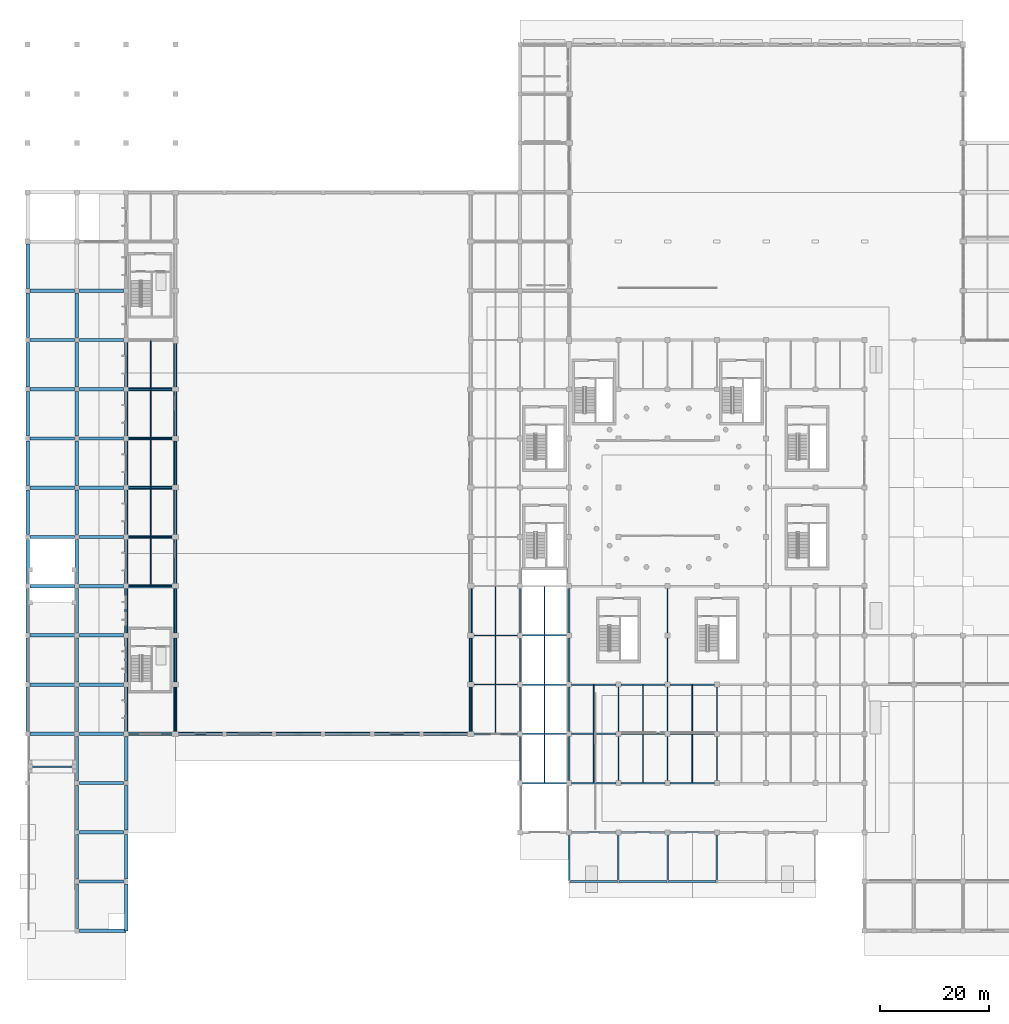
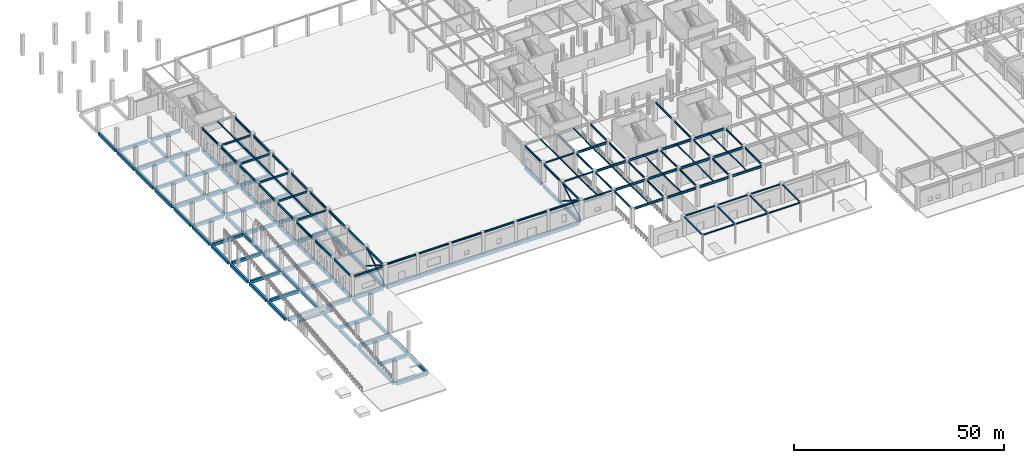
# One storey, part 7 of 91: 169 beams, 4 members.
"""IFC4 building model written with IfcOpenShell, lengths in metres."""

from ifc_helpers import new_model, si_unit, direction, frame, origin, origin_2d, place, context, subcontext, project, spatial, rectangle, hollow_circle, i_section, extrude, material, material_profile, profile_set, type_object, element, save


model = new_model("IFC4")

# Units and contexts
model_context = context("Model", 3, precision=1e-05, world=origin(), true_north=direction((0.0, 1.0)))
body_context = subcontext(model_context, "Body", "Model", "MODEL_VIEW")
ifc_project = project(units=[si_unit("LENGTHUNIT", "METRE"), si_unit("AREAUNIT", "SQUARE_METRE"), si_unit("VOLUMEUNIT", "CUBIC_METRE"), si_unit("PLANEANGLEUNIT", "RADIAN"), si_unit("MASSUNIT", "GRAM", prefix="KILO")], contexts=[model_context])

# Site, building, storey
site_placement = place(None, origin())
site = spatial("IfcSite", under=ifc_project, at=site_placement, CompositionType="ELEMENT")
building_placement = place(site_placement, origin())
building = spatial("IfcBuilding", under=site, at=building_placement, Name="Dornveld Trade and Exhibition Forum", CompositionType="ELEMENT")
storey_placement = place(building_placement, origin())
storey = spatial("IfcBuildingStorey", under=building, at=storey_placement, Name="L00", CompositionType="ELEMENT", Elevation=0.0)

# Beams
ifc_material_1 = material(Name="Steel S355J2", Category="steel")
ifc_material_profile_1 = material_profile(ifc_material_1, i_section(OverallWidth=0.300048828125, OverallDepth=0.300048828125, WebThickness=0.010986328125, FlangeThickness=0.01904296875, FilletRadius=0.027099609375, at=origin_2d()), Name="HEB 300")
ifc_profile_set_1 = profile_set([ifc_material_profile_1], Name="Steel S355J2")
beam_type_1 = type_object("IfcBeamType", Name="BM-CAN-HEB300", PredefinedType="BEAM", material=ifc_profile_set_1)
for number, where, z_axis, x_axis, name in (
    (1, (99.14599609375, 9.0, 5.6298828125), (1.0, 0.0, 0.0), (0.0, 1.0, 0.0), "L00 X-girder 1058"),
    (2, (108.14599609375, 9.0, 5.6298828125), (1.0, 0.0, 0.0), (0.0, 1.0, 0.0), "L00 X-girder 1059"),
    (3, (117.14599609375, 9.0, 5.6298828125), (1.0, 0.0, 0.0), (0.0, 1.0, 0.0), "L00 X-girder 1060"),
):
    element("IfcBeam", number, at=place(storey_placement, frame(where, z_axis=z_axis, x_axis=x_axis)), inside=storey, type_object=beam_type_1, Name=name, PredefinedType="BEAM", context=body_context, shape_type="SweptSolid", body=[
        extrude(i_section(OverallWidth=0.300048828125, OverallDepth=0.300048828125, WebThickness=0.010986328125, FlangeThickness=0.01904296875, FilletRadius=0.027099609375, at=origin_2d()), origin(), (0.0, 0.0, 1.0), 8.7080078125),
    ])
for number, where, z_axis, x_axis, name in (
    (4, (99.446044921875, 18.0, 5.6298828125), (1.0, 0.0, 0.0), (0.0, 1.0, 0.0), "L00 X-girder 1063"),
    (5, (108.446044921875, 18.0, 5.6298828125), (1.0, 0.0, 0.0), (0.0, 1.0, 0.0), "L00 X-girder 1064"),
    (6, (117.446044921875, 18.0, 5.6298828125), (1.0, 0.0, 0.0), (0.0, 1.0, 0.0), "L00 X-girder 1065"),
):
    element("IfcBeam", number, at=place(storey_placement, frame(where, z_axis=z_axis, x_axis=x_axis)), inside=storey, type_object=beam_type_1, Name=name, PredefinedType="BEAM", context=body_context, shape_type="SweptSolid", body=[
        extrude(i_section(OverallWidth=0.300048828125, OverallDepth=0.300048828125, WebThickness=0.010986328125, FlangeThickness=0.01904296875, FilletRadius=0.027099609375, at=origin_2d()), origin(), (0.0, 0.0, 1.0), 8.10791015625),
    ])
for number, where, z_axis, x_axis, name in (
    (7, (99.0, 9.196044921875, 5.6298828125), (0.0, 1.0, 0.0), (-1.0, 0.0, 0.0), "L00 Y-girder 1068"),
    (8, (108.0, 9.196044921875, 5.6298828125), (0.0, 1.0, 0.0), (-1.0, 0.0, 0.0), "L00 Y-girder 1069"),
    (9, (117.0, 9.196044921875, 5.6298828125), (0.0, 1.0, 0.0), (-1.0, 0.0, 0.0), "L00 Y-girder 1070"),
    (10, (126.0, 9.196044921875, 5.6298828125), (0.0, 1.0, 0.0), (-1.0, 0.0, 0.0), "L00 Y-girder 1071"),
):
    element("IfcBeam", number, at=place(storey_placement, frame(where, z_axis=z_axis, x_axis=x_axis)), inside=storey, type_object=beam_type_1, Name=name, PredefinedType="BEAM", context=body_context, shape_type="SweptSolid", body=[
        extrude(i_section(OverallWidth=0.300048828125, OverallDepth=0.300048828125, WebThickness=0.010986328125, FlangeThickness=0.01904296875, FilletRadius=0.027099609375, at=origin_2d()), origin(), (0.0, 0.0, 1.0), 8.35791015625),
    ])
ifc_material_2 = material(Name="Concrete C40/50", Category="concrete")
ifc_material_profile_2 = material_profile(ifc_material_2, rectangle(XDim=0.60009765625, YDim=0.89990234375, at=origin_2d()), Name="RC-GB 600x900")
ifc_profile_set_2 = profile_set([ifc_material_profile_2], Name="Concrete C40/50")
beam_type_2 = type_object("IfcBeamType", Name="BM-GB-600x900", PredefinedType="BEAM", material=ifc_profile_set_2)
beam_1_placement = place(storey_placement, frame((9.446044921875, 0.0, -0.85205078125), z_axis=(1.0, 0.0, 0.0), x_axis=(0.0, 1.0, 0.0)))
element("IfcBeam", 11, at=beam_1_placement, inside=storey, type_object=beam_type_2, Name="L00 X-girder 360", PredefinedType="BEAM", context=body_context, shape_type="SweptSolid", body=[
    extrude(rectangle(XDim=0.60009765625, YDim=0.89990234375, at=origin_2d()), origin(), (0.0, 0.0, 1.0), 8.553955078125),
])
for number, where, z_axis, x_axis, name in (
    (12, (9.446044921875, 9.0, -0.830078125), (1.0, 0.0, 0.0), (0.0, 1.0, 0.0), "L00 X-girder 361"),
    (13, (9.446044921875, 18.0, -0.85205078125), (1.0, 0.0, 0.0), (0.0, 1.0, 0.0), "L00 X-girder 362"),
    (14, (9.446044921875, 27.0, -0.85205078125), (1.0, 0.0, 0.0), (0.0, 1.0, 0.0), "L00 X-girder 363"),
    (15, (9.446044921875, 36.0, -0.85205078125), (1.0, 0.0, 0.0), (0.0, 1.0, 0.0), "L00 X-girder 364"),
    (16, (9.0, 0.446044921875, -0.830078125), (0.0, 1.0, 0.0), (-1.0, 0.0, 0.0), "L00 Y-girder 365"),
    (17, (9.0, 9.446044921875, -0.830078125), (0.0, 1.0, 0.0), (-1.0, 0.0, 0.0), "L00 Y-girder 366"),
    (18, (9.0, 18.446044921875, -0.85205078125), (0.0, 1.0, 0.0), (-1.0, 0.0, 0.0), "L00 Y-girder 367"),
    (19, (9.0, 27.446044921875, -0.85205078125), (0.0, 1.0, 0.0), (-1.0, 0.0, 0.0), "L00 Y-girder 368"),
):
    element("IfcBeam", number, at=place(storey_placement, frame(where, z_axis=z_axis, x_axis=x_axis)), inside=storey, type_object=beam_type_2, Name=name, PredefinedType="BEAM", context=body_context, shape_type="SweptSolid", body=[
        extrude(rectangle(XDim=0.60009765625, YDim=0.89990234375, at=origin_2d()), origin(), (0.0, 0.0, 1.0), 8.10791015625),
    ])
beam_2_placement = place(storey_placement, frame((18.0, 0.0, -0.830078125), z_axis=(0.0, 1.0, 0.0), x_axis=(-1.0, 0.0, 0.0)))
element("IfcBeam", 20, at=beam_2_placement, inside=storey, type_object=beam_type_2, Name="L00 Y-girder 369", PredefinedType="BEAM", context=body_context, shape_type="SweptSolid", body=[
    extrude(rectangle(XDim=0.60009765625, YDim=0.89990234375, at=origin_2d()), origin(), (0.0, 0.0, 1.0), 8.553955078125),
])
for number, where, z_axis, x_axis, name in (
    (21, (18.0, 9.446044921875, -0.830078125), (0.0, 1.0, 0.0), (-1.0, 0.0, 0.0), "L00 Y-girder 370"),
    (22, (18.0, 18.446044921875, -0.85205078125), (0.0, 1.0, 0.0), (-1.0, 0.0, 0.0), "L00 Y-girder 371"),
    (23, (18.0, 27.446044921875, -0.85205078125), (0.0, 1.0, 0.0), (-1.0, 0.0, 0.0), "L00 Y-girder 372"),
    (24, (0.446044921875, 36.0, -0.85205078125), (1.0, 0.0, 0.0), (0.0, 1.0, 0.0), "L00 X-girder 373"),
    (25, (18.446044921875, 36.0, -0.85205078125), (1.0, 0.0, 0.0), (0.0, 1.0, 0.0), "L00 X-girder 374"),
):
    element("IfcBeam", number, at=place(storey_placement, frame(where, z_axis=z_axis, x_axis=x_axis)), inside=storey, type_object=beam_type_2, Name=name, PredefinedType="BEAM", context=body_context, shape_type="SweptSolid", body=[
        extrude(rectangle(XDim=0.60009765625, YDim=0.89990234375, at=origin_2d()), origin(), (0.0, 0.0, 1.0), 8.10791015625),
    ])
beam_3_placement = place(storey_placement, frame((27.446044921875, 36.0, -0.830078125), z_axis=(1.0, 0.0, 0.0), x_axis=(0.0, 1.0, 0.0)))
element("IfcBeam", 26, at=beam_3_placement, inside=storey, type_object=beam_type_2, Name="L00 X-girder 375", PredefinedType="BEAM", context=body_context, shape_type="SweptSolid", body=[
    extrude(rectangle(XDim=0.60009765625, YDim=0.89990234375, at=origin_2d()), origin(), (0.0, 0.0, 1.0), 53.10791015625),
])
for number, where, z_axis, x_axis, name in (
    (27, (0.446044921875, 45.0, -0.830078125), (1.0, 0.0, 0.0), (0.0, 1.0, 0.0), "L00 X-girder 377"),
    (28, (9.446044921875, 45.0, -0.830078125), (1.0, 0.0, 0.0), (0.0, 1.0, 0.0), "L00 X-girder 378"),
    (29, (0.446044921875, 54.0, -0.830078125), (1.0, 0.0, 0.0), (0.0, 1.0, 0.0), "L00 X-girder 380"),
    (30, (9.446044921875, 54.0, -0.830078125), (1.0, 0.0, 0.0), (0.0, 1.0, 0.0), "L00 X-girder 381"),
    (31, (0.446044921875, 63.0, -0.830078125), (1.0, 0.0, 0.0), (0.0, 1.0, 0.0), "L00 X-girder 383"),
    (32, (9.446044921875, 63.0, -0.830078125), (1.0, 0.0, 0.0), (0.0, 1.0, 0.0), "L00 X-girder 384"),
    (33, (18.446044921875, 63.0, -0.830078125), (1.0, 0.0, 0.0), (0.0, 1.0, 0.0), "L00 X-girder 385"),
    (34, (0.446044921875, 72.0, -0.830078125), (1.0, 0.0, 0.0), (0.0, 1.0, 0.0), "L00 X-girder 387"),
    (35, (9.446044921875, 72.0, -0.830078125), (1.0, 0.0, 0.0), (0.0, 1.0, 0.0), "L00 X-girder 388"),
    (36, (18.446044921875, 72.0, -0.830078125), (1.0, 0.0, 0.0), (0.0, 1.0, 0.0), "L00 X-girder 389"),
    (37, (0.446044921875, 81.0, -0.830078125), (1.0, 0.0, 0.0), (0.0, 1.0, 0.0), "L00 X-girder 391"),
    (38, (9.446044921875, 81.0, -0.830078125), (1.0, 0.0, 0.0), (0.0, 1.0, 0.0), "L00 X-girder 392"),
    (39, (18.446044921875, 81.0, -0.830078125), (1.0, 0.0, 0.0), (0.0, 1.0, 0.0), "L00 X-girder 393"),
    (40, (0.446044921875, 90.0, -0.830078125), (1.0, 0.0, 0.0), (0.0, 1.0, 0.0), "L00 X-girder 395"),
    (41, (9.446044921875, 90.0, -0.830078125), (1.0, 0.0, 0.0), (0.0, 1.0, 0.0), "L00 X-girder 396"),
    (42, (18.446044921875, 90.0, -0.830078125), (1.0, 0.0, 0.0), (0.0, 1.0, 0.0), "L00 X-girder 397"),
    (43, (0.446044921875, 99.0, -0.830078125), (1.0, 0.0, 0.0), (0.0, 1.0, 0.0), "L00 X-girder 399"),
    (44, (9.446044921875, 99.0, -0.830078125), (1.0, 0.0, 0.0), (0.0, 1.0, 0.0), "L00 X-girder 400"),
    (45, (18.446044921875, 99.0, -0.830078125), (1.0, 0.0, 0.0), (0.0, 1.0, 0.0), "L00 X-girder 401"),
    (46, (0.446044921875, 108.0, -0.830078125), (1.0, 0.0, 0.0), (0.0, 1.0, 0.0), "L00 X-girder 403"),
    (47, (9.446044921875, 108.0, -0.830078125), (1.0, 0.0, 0.0), (0.0, 1.0, 0.0), "L00 X-girder 404"),
    (48, (0.446044921875, 117.0, -0.830078125), (1.0, 0.0, 0.0), (0.0, 1.0, 0.0), "L00 X-girder 407"),
    (49, (9.446044921875, 117.0, -0.830078125), (1.0, 0.0, 0.0), (0.0, 1.0, 0.0), "L00 X-girder 408"),
    (50, (0.0, 36.446044921875, -0.830078125), (0.0, 1.0, 0.0), (-1.0, 0.0, 0.0), "L00 Y-girder 419"),
    (51, (0.0, 45.446044921875, -0.830078125), (0.0, 1.0, 0.0), (-1.0, 0.0, 0.0), "L00 Y-girder 420"),
    (52, (0.0, 54.446044921875, -0.830078125), (0.0, 1.0, 0.0), (-1.0, 0.0, 0.0), "L00 Y-girder 421"),
    (53, (0.0, 63.446044921875, -0.830078125), (0.0, 1.0, 0.0), (-1.0, 0.0, 0.0), "L00 Y-girder 422"),
    (54, (0.0, 72.446044921875, -0.830078125), (0.0, 1.0, 0.0), (-1.0, 0.0, 0.0), "L00 Y-girder 423"),
    (55, (0.0, 81.446044921875, -0.830078125), (0.0, 1.0, 0.0), (-1.0, 0.0, 0.0), "L00 Y-girder 424"),
    (56, (0.0, 90.446044921875, -0.830078125), (0.0, 1.0, 0.0), (-1.0, 0.0, 0.0), "L00 Y-girder 425"),
    (57, (0.0, 99.446044921875, -0.830078125), (0.0, 1.0, 0.0), (-1.0, 0.0, 0.0), "L00 Y-girder 426"),
    (58, (0.0, 108.446044921875, -0.830078125), (0.0, 1.0, 0.0), (-1.0, 0.0, 0.0), "L00 Y-girder 427"),
    (59, (0.0, 117.446044921875, -0.830078125), (0.0, 1.0, 0.0), (-1.0, 0.0, 0.0), "L00 Y-girder 428"),
    (60, (9.0, 36.446044921875, -0.830078125), (0.0, 1.0, 0.0), (-1.0, 0.0, 0.0), "L00 Y-girder 430"),
    (61, (9.0, 45.446044921875, -0.830078125), (0.0, 1.0, 0.0), (-1.0, 0.0, 0.0), "L00 Y-girder 431"),
    (62, (9.0, 54.446044921875, -0.830078125), (0.0, 1.0, 0.0), (-1.0, 0.0, 0.0), "L00 Y-girder 432"),
    (63, (9.0, 63.446044921875, -0.830078125), (0.0, 1.0, 0.0), (-1.0, 0.0, 0.0), "L00 Y-girder 433"),
    (64, (9.0, 72.446044921875, -0.830078125), (0.0, 1.0, 0.0), (-1.0, 0.0, 0.0), "L00 Y-girder 434"),
    (65, (9.0, 81.446044921875, -0.830078125), (0.0, 1.0, 0.0), (-1.0, 0.0, 0.0), "L00 Y-girder 435"),
    (66, (9.0, 90.446044921875, -0.830078125), (0.0, 1.0, 0.0), (-1.0, 0.0, 0.0), "L00 Y-girder 436"),
    (67, (9.0, 99.446044921875, -0.830078125), (0.0, 1.0, 0.0), (-1.0, 0.0, 0.0), "L00 Y-girder 437"),
    (68, (9.0, 108.446044921875, -0.830078125), (0.0, 1.0, 0.0), (-1.0, 0.0, 0.0), "L00 Y-girder 438"),
    (69, (18.0, 36.446044921875, -0.830078125), (0.0, 1.0, 0.0), (-1.0, 0.0, 0.0), "L00 Y-girder 441"),
    (70, (18.0, 45.446044921875, -0.830078125), (0.0, 1.0, 0.0), (-1.0, 0.0, 0.0), "L00 Y-girder 442"),
    (71, (18.0, 54.446044921875, -0.830078125), (0.0, 1.0, 0.0), (-1.0, 0.0, 0.0), "L00 Y-girder 443"),
    (72, (18.0, 63.446044921875, -0.830078125), (0.0, 1.0, 0.0), (-1.0, 0.0, 0.0), "L00 Y-girder 444"),
    (73, (18.0, 72.446044921875, -0.830078125), (0.0, 1.0, 0.0), (-1.0, 0.0, 0.0), "L00 Y-girder 445"),
    (74, (18.0, 81.446044921875, -0.830078125), (0.0, 1.0, 0.0), (-1.0, 0.0, 0.0), "L00 Y-girder 446"),
    (75, (18.0, 90.446044921875, -0.830078125), (0.0, 1.0, 0.0), (-1.0, 0.0, 0.0), "L00 Y-girder 447"),
    (76, (18.0, 99.446044921875, -0.830078125), (0.0, 1.0, 0.0), (-1.0, 0.0, 0.0), "L00 Y-girder 448"),
    (77, (27.0, 36.446044921875, -0.830078125), (0.0, 1.0, 0.0), (-1.0, 0.0, 0.0), "L00 Y-girder 452"),
    (78, (27.0, 45.446044921875, -0.830078125), (0.0, 1.0, 0.0), (-1.0, 0.0, 0.0), "L00 Y-girder 453"),
    (79, (27.0, 54.446044921875, -0.830078125), (0.0, 1.0, 0.0), (-1.0, 0.0, 0.0), "L00 Y-girder 454"),
    (80, (27.0, 63.446044921875, -0.830078125), (0.0, 1.0, 0.0), (-1.0, 0.0, 0.0), "L00 Y-girder 455"),
    (81, (27.0, 72.446044921875, -0.830078125), (0.0, 1.0, 0.0), (-1.0, 0.0, 0.0), "L00 Y-girder 456"),
    (82, (27.0, 81.446044921875, -0.830078125), (0.0, 1.0, 0.0), (-1.0, 0.0, 0.0), "L00 Y-girder 457"),
    (83, (27.0, 90.446044921875, -0.830078125), (0.0, 1.0, 0.0), (-1.0, 0.0, 0.0), "L00 Y-girder 458"),
    (84, (27.0, 99.446044921875, -0.830078125), (0.0, 1.0, 0.0), (-1.0, 0.0, 0.0), "L00 Y-girder 459"),
    (85, (81.0, 36.446044921875, -0.830078125), (0.0, 1.0, 0.0), (-1.0, 0.0, 0.0), "L00 Y-girder 463"),
    (86, (81.0, 45.446044921875, -0.830078125), (0.0, 1.0, 0.0), (-1.0, 0.0, 0.0), "L00 Y-girder 464"),
    (87, (81.0, 54.446044921875, -0.830078125), (0.0, 1.0, 0.0), (-1.0, 0.0, 0.0), "L00 Y-girder 465"),
):
    element("IfcBeam", number, at=place(storey_placement, frame(where, z_axis=z_axis, x_axis=x_axis)), inside=storey, type_object=beam_type_2, Name=name, PredefinedType="BEAM", context=body_context, shape_type="SweptSolid", body=[
        extrude(rectangle(XDim=0.60009765625, YDim=0.89990234375, at=origin_2d()), origin(), (0.0, 0.0, 1.0), 8.10791015625),
    ])
ifc_material_3 = material(Name="Steel S355J2", Category="steel")
ifc_material_profile_3 = material_profile(ifc_material_3, i_section(OverallWidth=0.300048828125, OverallDepth=0.5, WebThickness=0.014404296875, FlangeThickness=0.028076171875, FilletRadius=0.027099609375, at=origin_2d()), Name="HEB 500")
ifc_profile_set_3 = profile_set([ifc_material_profile_3], Name="Steel S355J2")
beam_type_3 = type_object("IfcBeamType", Name="BM-GIR-HEB500", PredefinedType="USERDEFINED", material=ifc_profile_set_3)
for number, where, z_axis, x_axis, name in (
    (88, (81.0, 36.446044921875, 5.449951171875), (0.0, 1.0, 0.0), (-1.0, 0.0, 0.0), "L00 Y-girder 848"),
    (89, (81.0, 45.446044921875, 5.449951171875), (0.0, 1.0, 0.0), (-1.0, 0.0, 0.0), "L00 Y-girder 849"),
    (90, (81.0, 54.446044921875, 5.449951171875), (0.0, 1.0, 0.0), (-1.0, 0.0, 0.0), "L00 Y-girder 850"),
):
    element("IfcBeam", number, at=place(storey_placement, frame(where, z_axis=z_axis, x_axis=x_axis)), inside=storey, type_object=beam_type_3, Name=name, ObjectType="GIRDER", PredefinedType="USERDEFINED", context=body_context, shape_type="SweptSolid", body=[
        extrude(i_section(OverallWidth=0.300048828125, OverallDepth=0.5, WebThickness=0.014404296875, FlangeThickness=0.028076171875, FilletRadius=0.027099609375, at=origin_2d()), origin(), (0.0, 0.0, 1.0), 8.10791015625),
    ])
beam_4_placement = place(storey_placement, frame((27.595947265625, 36.0, 5.75), z_axis=(1.0, 0.0, 0.0), x_axis=(0.0, 1.0, 0.0)))
element("IfcBeam", 91, at=beam_4_placement, inside=storey, type_object=beam_type_3, Name="L00 X-girder 1429", ObjectType="GIRDER", PredefinedType="USERDEFINED", context=body_context, shape_type="SweptSolid", body=[
    extrude(i_section(OverallWidth=0.300048828125, OverallDepth=0.5, WebThickness=0.014404296875, FlangeThickness=0.028076171875, FilletRadius=0.027099609375, at=origin_2d()), origin(), (0.0, 0.0, 1.0), 8.032958984375),
])
for number, where, z_axis, x_axis, name in (
    (92, (36.37109375, 36.0, 5.75), (1.0, 0.0, 0.0), (0.0, 1.0, 0.0), "L00 X-girder 1430"),
    (93, (45.37109375, 36.0, 5.75), (1.0, 0.0, 0.0), (0.0, 1.0, 0.0), "L00 X-girder 1431"),
    (94, (54.37109375, 36.0, 5.75), (1.0, 0.0, 0.0), (0.0, 1.0, 0.0), "L00 X-girder 1432"),
    (95, (63.37109375, 36.0, 5.75), (1.0, 0.0, 0.0), (0.0, 1.0, 0.0), "L00 X-girder 1433"),
):
    element("IfcBeam", number, at=place(storey_placement, frame(where, z_axis=z_axis, x_axis=x_axis)), inside=storey, type_object=beam_type_3, Name=name, ObjectType="GIRDER", PredefinedType="USERDEFINED", context=body_context, shape_type="SweptSolid", body=[
        extrude(i_section(OverallWidth=0.300048828125, OverallDepth=0.5, WebThickness=0.014404296875, FlangeThickness=0.028076171875, FilletRadius=0.027099609375, at=origin_2d()), origin(), (0.0, 0.0, 1.0), 8.2578125),
    ])
beam_5_placement = place(storey_placement, frame((72.37109375, 36.0, 5.75), z_axis=(1.0, 0.0, 0.0), x_axis=(0.0, 1.0, 0.0)))
element("IfcBeam", 96, at=beam_5_placement, inside=storey, type_object=beam_type_3, Name="L00 X-girder 1434", ObjectType="GIRDER", PredefinedType="USERDEFINED", context=body_context, shape_type="SweptSolid", body=[
    extrude(i_section(OverallWidth=0.300048828125, OverallDepth=0.5, WebThickness=0.014404296875, FlangeThickness=0.028076171875, FilletRadius=0.027099609375, at=origin_2d()), origin(), (0.0, 0.0, 1.0), 8.032958984375),
])
beam_6_placement = place(storey_placement, frame((0.0, 30.0, 2.364990234375), z_axis=(1.0, 0.0, 0.0), x_axis=(0.0, 1.0, 0.0)))
element("IfcBeam", 97, at=beam_6_placement, inside=storey, type_object=beam_type_3, Name="Ramp mid-flight transverse bearing girder 1", ObjectType="GIRDER", PredefinedType="USERDEFINED", context=body_context, shape_type="SweptSolid", body=[
    extrude(i_section(OverallWidth=0.300048828125, OverallDepth=0.5, WebThickness=0.014404296875, FlangeThickness=0.028076171875, FilletRadius=0.027099609375, at=origin_2d()), origin(), (0.0, 0.0, 1.0), 9.0),
])
ifc_material_4 = material(Name="Steel S355J2", Category="steel")
ifc_material_profile_4 = material_profile(ifc_material_4, i_section(OverallWidth=0.300048828125, OverallDepth=0.64990234375, WebThickness=0.01611328125, FlangeThickness=0.031005859375, FilletRadius=0.027099609375, at=origin_2d()), Name="HEB 650")
ifc_profile_set_4 = profile_set([ifc_material_profile_4], Name="Steel S355J2")
beam_type_4 = type_object("IfcBeamType", Name="BM-GIR-HEB650", PredefinedType="USERDEFINED", material=ifc_profile_set_4)
for number, where, z_axis, x_axis, name in (
    (98, (90.446044921875, 27.0, 5.375), (1.0, 0.0, 0.0), (0.0, 1.0, 0.0), "L00 X-girder 651"),
    (99, (99.446044921875, 27.0, 5.375), (1.0, 0.0, 0.0), (0.0, 1.0, 0.0), "L00 X-girder 652"),
    (100, (108.446044921875, 27.0, 5.375), (1.0, 0.0, 0.0), (0.0, 1.0, 0.0), "L00 X-girder 653"),
    (101, (117.446044921875, 27.0, 5.375), (1.0, 0.0, 0.0), (0.0, 1.0, 0.0), "L00 X-girder 654"),
    (102, (90.446044921875, 36.0, 5.375), (1.0, 0.0, 0.0), (0.0, 1.0, 0.0), "L00 X-girder 658"),
    (103, (99.446044921875, 36.0, 5.375), (1.0, 0.0, 0.0), (0.0, 1.0, 0.0), "L00 X-girder 659"),
    (104, (108.446044921875, 36.0, 5.375), (1.0, 0.0, 0.0), (0.0, 1.0, 0.0), "L00 X-girder 660"),
    (105, (117.446044921875, 36.0, 5.375), (1.0, 0.0, 0.0), (0.0, 1.0, 0.0), "L00 X-girder 661"),
    (106, (90.446044921875, 45.0, 5.375), (1.0, 0.0, 0.0), (0.0, 1.0, 0.0), "L00 X-girder 665"),
    (107, (99.446044921875, 45.0, 5.375), (1.0, 0.0, 0.0), (0.0, 1.0, 0.0), "L00 X-girder 666"),
    (108, (108.446044921875, 45.0, 5.375), (1.0, 0.0, 0.0), (0.0, 1.0, 0.0), "L00 X-girder 667"),
    (109, (117.446044921875, 45.0, 5.375), (1.0, 0.0, 0.0), (0.0, 1.0, 0.0), "L00 X-girder 668"),
    (110, (90.446044921875, 54.0, 5.375), (1.0, 0.0, 0.0), (0.0, 1.0, 0.0), "L00 X-girder 672"),
    (111, (18.0, 36.446044921875, 5.375), (0.0, 1.0, 0.0), (-1.0, 0.0, 0.0), "L00 Y-girder 808"),
    (112, (18.0, 45.446044921875, 5.375), (0.0, 1.0, 0.0), (-1.0, 0.0, 0.0), "L00 Y-girder 809"),
    (113, (18.0, 54.446044921875, 5.3330078125), (0.0, 1.0, 0.0), (-1.0, 0.0, 0.0), "L00 Y-girder 810"),
    (114, (18.0, 63.446044921875, 5.3330078125), (0.0, 1.0, 0.0), (-1.0, 0.0, 0.0), "L00 Y-girder 811"),
    (115, (18.0, 72.446044921875, 5.375), (0.0, 1.0, 0.0), (-1.0, 0.0, 0.0), "L00 Y-girder 812"),
    (116, (18.0, 81.446044921875, 5.375), (0.0, 1.0, 0.0), (-1.0, 0.0, 0.0), "L00 Y-girder 813"),
    (117, (18.0, 90.446044921875, 5.375), (0.0, 1.0, 0.0), (-1.0, 0.0, 0.0), "L00 Y-girder 814"),
    (118, (18.0, 99.446044921875, 5.375), (0.0, 1.0, 0.0), (-1.0, 0.0, 0.0), "L00 Y-girder 815"),
    (119, (27.0, 36.446044921875, 5.375), (0.0, 1.0, 0.0), (-1.0, 0.0, 0.0), "L00 Y-girder 819"),
    (120, (27.0, 45.446044921875, 5.375), (0.0, 1.0, 0.0), (-1.0, 0.0, 0.0), "L00 Y-girder 820"),
    (121, (27.0, 54.446044921875, 5.375), (0.0, 1.0, 0.0), (-1.0, 0.0, 0.0), "L00 Y-girder 821"),
    (122, (27.0, 63.446044921875, 5.375), (0.0, 1.0, 0.0), (-1.0, 0.0, 0.0), "L00 Y-girder 822"),
    (123, (27.0, 72.446044921875, 5.375), (0.0, 1.0, 0.0), (-1.0, 0.0, 0.0), "L00 Y-girder 823"),
    (124, (27.0, 81.446044921875, 5.375), (0.0, 1.0, 0.0), (-1.0, 0.0, 0.0), "L00 Y-girder 824"),
    (125, (27.0, 90.446044921875, 5.375), (0.0, 1.0, 0.0), (-1.0, 0.0, 0.0), "L00 Y-girder 825"),
):
    element("IfcBeam", number, at=place(storey_placement, frame(where, z_axis=z_axis, x_axis=x_axis)), inside=storey, type_object=beam_type_4, Name=name, ObjectType="GIRDER", PredefinedType="USERDEFINED", context=body_context, shape_type="SweptSolid", body=[
        extrude(i_section(OverallWidth=0.300048828125, OverallDepth=0.64990234375, WebThickness=0.01611328125, FlangeThickness=0.031005859375, FilletRadius=0.027099609375, at=origin_2d()), origin(), (0.0, 0.0, 1.0), 8.10791015625),
    ])
beam_7_placement = place(storey_placement, frame((27.0, 99.446044921875, 5.375), z_axis=(0.0, 1.0, 0.0), x_axis=(-1.0, 0.0, 0.0)))
element("IfcBeam", 126, at=beam_7_placement, inside=storey, type_object=beam_type_4, Name="L00 Y-girder 826", ObjectType="GIRDER", PredefinedType="USERDEFINED", context=body_context, shape_type="SweptSolid", body=[
    extrude(i_section(OverallWidth=0.300048828125, OverallDepth=0.64990234375, WebThickness=0.01611328125, FlangeThickness=0.031005859375, FilletRadius=0.027099609375, at=origin_2d()), origin(), (0.0, 0.0, 1.0), 7.9580078125),
])
ifc_material_5 = material(Name="Steel S355J2", Category="steel")
ifc_material_profile_5 = material_profile(ifc_material_5, i_section(OverallWidth=0.1201171875, OverallDepth=0.239990234375, WebThickness=0.006103515625, FlangeThickness=0.009765625, FilletRadius=0.014892578125, at=origin_2d()), Name="IPE 240")
ifc_profile_set_5 = profile_set([ifc_material_profile_5], Name="Steel S355J2")
beam_type_5 = type_object("IfcBeamType", Name="BM-JOIST-240", PredefinedType="JOIST", material=ifc_profile_set_5)
for number, where, z_axis, x_axis, name in (
    (127, (94.5, 27.14697265625, 5.580078125), (0.0, 1.0, 0.0), (-1.0, 0.0, 0.0), "L00 secondary joist 749"),
    (128, (94.5, 36.14697265625, 5.580078125), (0.0, 1.0, 0.0), (-1.0, 0.0, 0.0), "L00 secondary joist 750"),
    (129, (94.5, 45.14697265625, 5.580078125), (0.0, 1.0, 0.0), (-1.0, 0.0, 0.0), "L00 secondary joist 751"),
    (130, (94.5, 54.14697265625, 5.580078125), (0.0, 1.0, 0.0), (-1.0, 0.0, 0.0), "L00 secondary joist 752"),
    (131, (103.5, 27.14697265625, 5.580078125), (0.0, 1.0, 0.0), (-1.0, 0.0, 0.0), "L00 secondary joist 754"),
    (132, (103.5, 36.14697265625, 5.580078125), (0.0, 1.0, 0.0), (-1.0, 0.0, 0.0), "L00 secondary joist 755"),
    (133, (112.5, 27.14697265625, 5.580078125), (0.0, 1.0, 0.0), (-1.0, 0.0, 0.0), "L00 secondary joist 756"),
    (134, (112.5, 36.14697265625, 5.580078125), (0.0, 1.0, 0.0), (-1.0, 0.0, 0.0), "L00 secondary joist 757"),
    (135, (121.5, 27.14697265625, 5.580078125), (0.0, 1.0, 0.0), (-1.0, 0.0, 0.0), "L00 secondary joist 759"),
    (136, (121.5, 36.14697265625, 5.580078125), (0.0, 1.0, 0.0), (-1.0, 0.0, 0.0), "L00 secondary joist 760"),
):
    element("IfcBeam", number, at=place(storey_placement, frame(where, z_axis=z_axis, x_axis=x_axis)), inside=storey, type_object=beam_type_5, Name=name, PredefinedType="JOIST", context=body_context, shape_type="SweptSolid", body=[
        extrude(i_section(OverallWidth=0.1201171875, OverallDepth=0.239990234375, WebThickness=0.006103515625, FlangeThickness=0.009765625, FilletRadius=0.014892578125, at=origin_2d()), origin(), (0.0, 0.0, 1.0), 8.7060546875),
    ])
for number, where, z_axis, x_axis, name in (
    (137, (85.5, 36.092041015625, 5.580078125), (0.0, 1.0, 0.0), (-1.0, 0.0, 0.0), "L00 secondary joist 867"),
    (138, (85.5, 45.092041015625, 5.580078125), (0.0, 1.0, 0.0), (-1.0, 0.0, 0.0), "L00 secondary joist 868"),
    (139, (85.5, 54.092041015625, 5.580078125), (0.0, 1.0, 0.0), (-1.0, 0.0, 0.0), "L00 secondary joist 869"),
):
    element("IfcBeam", number, at=place(storey_placement, frame(where, z_axis=z_axis, x_axis=x_axis)), inside=storey, type_object=beam_type_5, Name=name, PredefinedType="JOIST", context=body_context, shape_type="SweptSolid", body=[
        extrude(i_section(OverallWidth=0.1201171875, OverallDepth=0.239990234375, WebThickness=0.006103515625, FlangeThickness=0.009765625, FilletRadius=0.014892578125, at=origin_2d()), origin(), (0.0, 0.0, 1.0), 8.81591796875),
    ])
ifc_material_6 = material(Name="Steel S355J2", Category="steel")
ifc_material_profile_6 = material_profile(ifc_material_6, i_section(OverallWidth=0.169921875, OverallDepth=0.360107421875, WebThickness=0.008056640625, FlangeThickness=0.0126953125, FilletRadius=0.01806640625, at=origin_2d()), Name="IPE 360")
ifc_profile_set_6 = profile_set([ifc_material_profile_6], Name="Steel S355J2")
beam_type_6 = type_object("IfcBeamType", Name="BM-JOIST-360", PredefinedType="JOIST", material=ifc_profile_set_6)
for number, where, z_axis, x_axis, name in (
    (140, (22.5, 63.10205078125, 5.52001953125), (0.0, 1.0, 0.0), (-1.0, 0.0, 0.0), "L00 secondary joist 830"),
    (141, (22.5, 72.10205078125, 5.52001953125), (0.0, 1.0, 0.0), (-1.0, 0.0, 0.0), "L00 secondary joist 831"),
    (142, (22.5, 81.10205078125, 5.52001953125), (0.0, 1.0, 0.0), (-1.0, 0.0, 0.0), "L00 secondary joist 832"),
    (143, (22.5, 90.10205078125, 5.52001953125), (0.0, 1.0, 0.0), (-1.0, 0.0, 0.0), "L00 secondary joist 833"),
    (144, (22.5, 99.10205078125, 5.52001953125), (0.0, 1.0, 0.0), (-1.0, 0.0, 0.0), "L00 secondary joist 834"),
):
    element("IfcBeam", number, at=place(storey_placement, frame(where, z_axis=z_axis, x_axis=x_axis)), inside=storey, type_object=beam_type_6, Name=name, PredefinedType="JOIST", context=body_context, shape_type="SweptSolid", body=[
        extrude(i_section(OverallWidth=0.169921875, OverallDepth=0.360107421875, WebThickness=0.008056640625, FlangeThickness=0.0126953125, FilletRadius=0.01806640625, at=origin_2d()), origin(), (0.0, 0.0, 1.0), 8.7958984375),
    ])
ifc_material_7 = material(Name="Steel S355J2", Category="steel")
ifc_material_profile_7 = material_profile(ifc_material_7, i_section(OverallWidth=0.18994140625, OverallDepth=0.449951171875, WebThickness=0.009521484375, FlangeThickness=0.0146484375, FilletRadius=0.02099609375, at=origin_2d()), Name="IPE 450")
ifc_profile_set_7 = profile_set([ifc_material_profile_7], Name="Steel S355J2")
beam_type_7 = type_object("IfcBeamType", Name="BM-SEC-450", PredefinedType="BEAM", material=ifc_profile_set_7)
for number, where, z_axis, x_axis, name in (
    (145, (81.595947265625, 36.0, 5.47509765625), (1.0, 0.0, 0.0), (0.0, 1.0, 0.0), "L00 X-girder 836"),
    (146, (81.595947265625, 45.0, 5.47509765625), (1.0, 0.0, 0.0), (0.0, 1.0, 0.0), "L00 X-girder 837"),
    (147, (81.595947265625, 54.0, 5.47509765625), (1.0, 0.0, 0.0), (0.0, 1.0, 0.0), "L00 X-girder 838"),
):
    element("IfcBeam", number, at=place(storey_placement, frame(where, z_axis=z_axis, x_axis=x_axis)), inside=storey, type_object=beam_type_7, Name=name, PredefinedType="BEAM", context=body_context, shape_type="SweptSolid", body=[
        extrude(i_section(OverallWidth=0.18994140625, OverallDepth=0.449951171875, WebThickness=0.009521484375, FlangeThickness=0.0146484375, FilletRadius=0.02099609375, at=origin_2d()), origin(), (0.0, 0.0, 1.0), 7.9580078125),
    ])
ifc_material_8 = material(Name="Steel S355J2", Category="steel")
ifc_material_profile_8 = material_profile(ifc_material_8, i_section(OverallWidth=0.2099609375, OverallDepth=0.550048828125, WebThickness=0.010986328125, FlangeThickness=0.01708984375, FilletRadius=0.02392578125, at=origin_2d()), Name="IPE 550")
ifc_profile_set_8 = profile_set([ifc_material_profile_8], Name="Steel S355J2")
beam_type_8 = type_object("IfcBeamType", Name="BM-SEC-550", PredefinedType="BEAM", material=ifc_profile_set_8)
for number, where, z_axis, x_axis, name in (
    (148, (90.0, 27.446044921875, 5.425048828125), (0.0, 1.0, 0.0), (-1.0, 0.0, 0.0), "L00 Y-girder 697"),
    (149, (90.0, 36.446044921875, 5.425048828125), (0.0, 1.0, 0.0), (-1.0, 0.0, 0.0), "L00 Y-girder 698"),
    (150, (90.0, 45.446044921875, 5.425048828125), (0.0, 1.0, 0.0), (-1.0, 0.0, 0.0), "L00 Y-girder 699"),
    (151, (90.0, 54.446044921875, 5.425048828125), (0.0, 1.0, 0.0), (-1.0, 0.0, 0.0), "L00 Y-girder 700"),
    (152, (99.0, 27.446044921875, 5.425048828125), (0.0, 1.0, 0.0), (-1.0, 0.0, 0.0), "L00 Y-girder 706"),
    (153, (99.0, 36.446044921875, 5.425048828125), (0.0, 1.0, 0.0), (-1.0, 0.0, 0.0), "L00 Y-girder 707"),
    (154, (99.0, 45.446044921875, 5.425048828125), (0.0, 1.0, 0.0), (-1.0, 0.0, 0.0), "L00 Y-girder 708"),
    (155, (99.0, 54.446044921875, 5.425048828125), (0.0, 1.0, 0.0), (-1.0, 0.0, 0.0), "L00 Y-girder 709"),
    (156, (108.0, 27.446044921875, 5.425048828125), (0.0, 1.0, 0.0), (-1.0, 0.0, 0.0), "L00 Y-girder 715"),
    (157, (108.0, 36.446044921875, 5.425048828125), (0.0, 1.0, 0.0), (-1.0, 0.0, 0.0), "L00 Y-girder 716"),
    (158, (117.0, 27.446044921875, 5.425048828125), (0.0, 1.0, 0.0), (-1.0, 0.0, 0.0), "L00 Y-girder 718"),
    (159, (117.0, 36.446044921875, 5.425048828125), (0.0, 1.0, 0.0), (-1.0, 0.0, 0.0), "L00 Y-girder 719"),
    (160, (117.0, 45.446044921875, 5.425048828125), (0.0, 1.0, 0.0), (-1.0, 0.0, 0.0), "L00 Y-girder 720"),
    (161, (117.0, 54.446044921875, 5.425048828125), (0.0, 1.0, 0.0), (-1.0, 0.0, 0.0), "L00 Y-girder 721"),
    (162, (126.0, 27.446044921875, 5.425048828125), (0.0, 1.0, 0.0), (-1.0, 0.0, 0.0), "L00 Y-girder 723"),
    (163, (126.0, 36.446044921875, 5.425048828125), (0.0, 1.0, 0.0), (-1.0, 0.0, 0.0), "L00 Y-girder 724"),
):
    element("IfcBeam", number, at=place(storey_placement, frame(where, z_axis=z_axis, x_axis=x_axis)), inside=storey, type_object=beam_type_8, Name=name, PredefinedType="BEAM", context=body_context, shape_type="SweptSolid", body=[
        extrude(i_section(OverallWidth=0.2099609375, OverallDepth=0.550048828125, WebThickness=0.010986328125, FlangeThickness=0.01708984375, FilletRadius=0.02392578125, at=origin_2d()), origin(), (0.0, 0.0, 1.0), 8.10791015625),
    ])
for number, where, z_axis, x_axis, name in (
    (164, (18.446044921875, 36.0, 5.425048828125), (1.0, 0.0, 0.0), (0.0, 1.0, 0.0), "L00 X-girder 799"),
    (165, (18.446044921875, 63.0, 5.425048828125), (1.0, 0.0, 0.0), (0.0, 1.0, 0.0), "L00 X-girder 800"),
    (166, (18.446044921875, 72.0, 5.425048828125), (1.0, 0.0, 0.0), (0.0, 1.0, 0.0), "L00 X-girder 801"),
    (167, (18.446044921875, 81.0, 5.425048828125), (1.0, 0.0, 0.0), (0.0, 1.0, 0.0), "L00 X-girder 802"),
    (168, (18.446044921875, 90.0, 5.425048828125), (1.0, 0.0, 0.0), (0.0, 1.0, 0.0), "L00 X-girder 803"),
    (169, (18.446044921875, 99.0, 5.425048828125), (1.0, 0.0, 0.0), (0.0, 1.0, 0.0), "L00 X-girder 804"),
):
    element("IfcBeam", number, at=place(storey_placement, frame(where, z_axis=z_axis, x_axis=x_axis)), inside=storey, type_object=beam_type_8, Name=name, PredefinedType="BEAM", context=body_context, shape_type="SweptSolid", body=[
        extrude(i_section(OverallWidth=0.2099609375, OverallDepth=0.550048828125, WebThickness=0.010986328125, FlangeThickness=0.01708984375, FilletRadius=0.02392578125, at=origin_2d()), origin(), (0.0, 0.0, 1.0), 7.9580078125),
    ])

# Members
ifc_material_9 = material(Name="Steel S355J2", Category="steel")
ifc_material_profile_9 = material_profile(ifc_material_9, hollow_circle(Radius=0.109619140625, WallThickness=0.010009765625, at=origin_2d()), Name="CHS 219.1x10")
ifc_profile_set_9 = profile_set([ifc_material_profile_9], Name="Steel S355J2")
member_type = type_object("IfcMemberType", Name="MEM-BRACE-219", PredefinedType="BRACE", material=ifc_profile_set_9)
for number, where, z_axis, x_axis, name in (
    (170, (27.0, 36.0, 0.0), (0.0, 0.844821147368, 0.535048809885), (-1.0, 0.0, 0.0), "L00 braced frame diagonal 3A"),
    (171, (27.0, 45.0, 0.0), (0.0, -0.844821147368, 0.535048809885), (1.0, 0.0, 0.0), "L00 braced frame diagonal 3B"),
    (172, (81.0, 36.0, 0.0), (0.0, 0.844821147368, 0.535048809885), (-1.0, 0.0, 0.0), "L00 braced frame diagonal 4A"),
    (173, (81.0, 45.0, 0.0), (0.0, -0.844821147368, 0.535048809885), (1.0, 0.0, 0.0), "L00 braced frame diagonal 4B"),
):
    element("IfcMember", number, at=place(storey_placement, frame(where, z_axis=z_axis, x_axis=x_axis)), inside=storey, type_object=member_type, Name=name, PredefinedType="BRACE", context=body_context, shape_type="SweptSolid", body=[
        extrude(hollow_circle(Radius=0.109619140625, WallThickness=0.010009765625, at=origin_2d()), origin(), (0.0, 0.0, 1.0), 10.653076171875),
    ])

save(model, "model.ifc")
